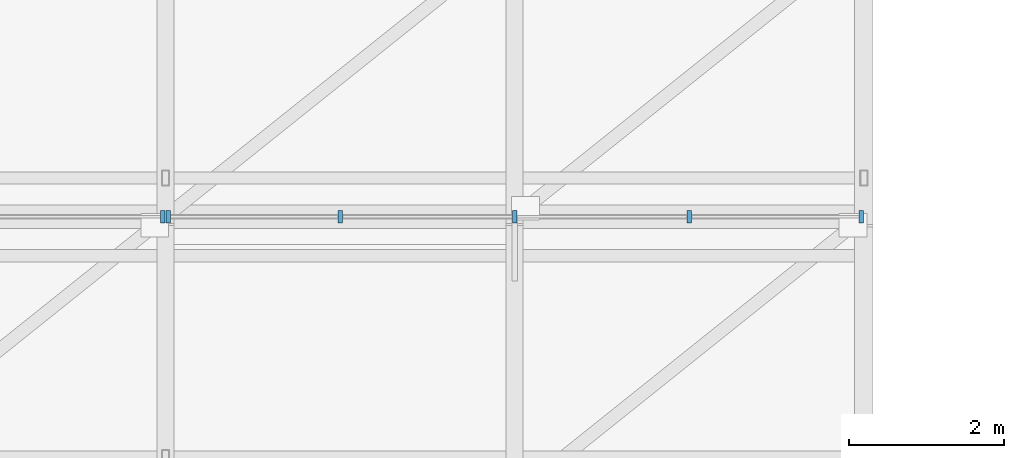
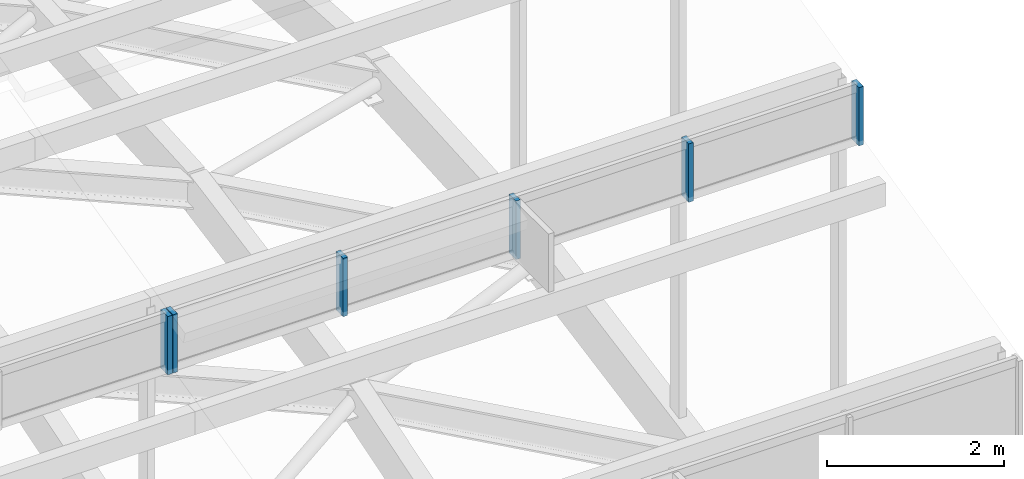
# One storey, part 39 of 69: 6 members, 2 elements without a shape of their own.
"""IFC4 building model written with IfcOpenShell, lengths in metres."""

from ifc_helpers import new_model, si_unit, direction, frame, origin, origin_2d, place, context, subcontext, project, spatial, rectangle, extrude, material, layer, layer_set, material_profile, profile_set, type_object, element, aggregate, save


model = new_model("IFC4")

# Units and contexts
model_context = context("Model", 3, precision=1e-05, world=origin(), true_north=direction((0.0, 1.0)))
body_context = subcontext(model_context, "Body", "Model", "MODEL_VIEW")
ifc_project = project(units=[si_unit("LENGTHUNIT", "METRE"), si_unit("AREAUNIT", "SQUARE_METRE"), si_unit("VOLUMEUNIT", "CUBIC_METRE"), si_unit("PLANEANGLEUNIT", "RADIAN"), si_unit("MASSUNIT", "GRAM", prefix="KILO")], contexts=[model_context])

# Site, building, storey
site_placement = place(None, origin())
site = spatial("IfcSite", under=ifc_project, at=site_placement, CompositionType="ELEMENT")
building_placement = place(site_placement, origin())
building = spatial("IfcBuilding", under=site, at=building_placement, Name="Montealbar Specialist Clinic", CompositionType="ELEMENT")
storey_placement = place(building_placement, frame((0.0, 0.0, 9.60009765625)))
storey = spatial("IfcBuildingStorey", under=building, at=storey_placement, Name="L02", CompositionType="ELEMENT", Elevation=9.60009765625)

# Curtain wall, member
ifc_material_1 = material(Name="Low-E double glazing", Category="glass")
ifc_layer = layer(ifc_material_1, 0.199951171875, Name="Low-E double glazing", Category="glass")
ifc_layer_set = layer_set([ifc_layer], Name="Low-E double glazing")
curtain_wall_type = type_object("IfcCurtainWallType", Name="CW-TYPE-48", PredefinedType="NOTDEFINED", material=ifc_layer_set)
curtain_wall_1_placement = place(storey_placement, origin())
curtain_wall_1 = element("IfcCurtainWall", 1, at=curtain_wall_1_placement, inside=storey, type_object=curtain_wall_type, Name="Unitised Curtain Wall CW-L02-810-522-900-522-196", PredefinedType="NOTDEFINED")
ifc_material_2 = material(Name="Anodised aluminium EN AW-6063", Category="aluminium")
ifc_material_profile = material_profile(ifc_material_2, rectangle(XDim=0.06005859375, YDim=0.159912109375, at=origin_2d()), Name="ALU 60x160", Category="aluminium")
ifc_profile_set = profile_set([ifc_material_profile], Name="Anodised aluminium EN AW-6063")
member_type = type_object("IfcMemberType", Name="CW-MUL-160", PredefinedType="MULLION", material=ifc_profile_set)
member_1_placement = place(storey_placement, frame((89.965087890625, 52.199951171875, 9.974853515625), z_axis=(0.0, 0.0, 1.0), x_axis=(1.0, 0.0, 0.0)))
member_1 = element("IfcMember", 2, at=member_1_placement, type_object=member_type, Name="Curtain Wall Mullion CW-L02-810-522-900-522-196-04", PredefinedType="MULLION", context=body_context, shape_type="SweptSolid", body=[
    extrude(rectangle(XDim=0.06005859375, YDim=0.159912109375, at=origin_2d()), origin(), (0.0, 0.0, 1.0), 0.803955078125),
])
aggregate(curtain_wall_1, [member_1])

# Curtain wall, members
curtain_wall_2_placement = place(storey_placement, origin())
curtain_wall_2 = element("IfcCurtainWall", 3, at=curtain_wall_2_placement, inside=storey, type_object=curtain_wall_type, Name="Unitised Curtain Wall CW-L02-900-522-990-522-196", PredefinedType="NOTDEFINED")
member_2_placement = place(storey_placement, frame((90.034912109375, 52.199951171875, 9.974853515625), z_axis=(0.0, 0.0, 1.0), x_axis=(1.0, 0.0, 0.0)))
member_2 = element("IfcMember", 4, at=member_2_placement, type_object=member_type, Name="Curtain Wall Mullion CW-L02-900-522-990-522-196-00", PredefinedType="MULLION", context=body_context, shape_type="SweptSolid", body=[
    extrude(rectangle(XDim=0.06005859375, YDim=0.159912109375, at=origin_2d()), origin(), (0.0, 0.0, 1.0), 0.803955078125),
])
member_3_placement = place(storey_placement, frame((92.25, 52.199951171875, 9.974853515625), z_axis=(0.0, 0.0, 1.0), x_axis=(1.0, 0.0, 0.0)))
member_3 = element("IfcMember", 5, at=member_3_placement, type_object=member_type, Name="Curtain Wall Mullion CW-L02-900-522-990-522-196-01", PredefinedType="MULLION", context=body_context, shape_type="SweptSolid", body=[
    extrude(rectangle(XDim=0.06005859375, YDim=0.159912109375, at=origin_2d()), origin(), (0.0, 0.0, 1.0), 0.803955078125),
])
member_4_placement = place(storey_placement, frame((94.5, 52.199951171875, 9.974853515625), z_axis=(0.0, 0.0, 1.0), x_axis=(1.0, 0.0, 0.0)))
member_4 = element("IfcMember", 6, at=member_4_placement, type_object=member_type, Name="Curtain Wall Mullion CW-L02-900-522-990-522-196-02", PredefinedType="MULLION", context=body_context, shape_type="SweptSolid", body=[
    extrude(rectangle(XDim=0.06005859375, YDim=0.159912109375, at=origin_2d()), origin(), (0.0, 0.0, 1.0), 0.803955078125),
])
member_5_placement = place(storey_placement, frame((96.75, 52.199951171875, 9.974853515625), z_axis=(0.0, 0.0, 1.0), x_axis=(1.0, 0.0, 0.0)))
member_5 = element("IfcMember", 7, at=member_5_placement, type_object=member_type, Name="Curtain Wall Mullion CW-L02-900-522-990-522-196-03", PredefinedType="MULLION", context=body_context, shape_type="SweptSolid", body=[
    extrude(rectangle(XDim=0.06005859375, YDim=0.159912109375, at=origin_2d()), origin(), (0.0, 0.0, 1.0), 0.803955078125),
])
member_6_placement = place(storey_placement, frame((98.965087890625, 52.199951171875, 9.974853515625), z_axis=(0.0, 0.0, 1.0), x_axis=(1.0, 0.0, 0.0)))
member_6 = element("IfcMember", 8, at=member_6_placement, type_object=member_type, Name="Curtain Wall Mullion CW-L02-900-522-990-522-196-04", PredefinedType="MULLION", context=body_context, shape_type="SweptSolid", body=[
    extrude(rectangle(XDim=0.06005859375, YDim=0.159912109375, at=origin_2d()), origin(), (0.0, 0.0, 1.0), 0.803955078125),
])
aggregate(curtain_wall_2, [member_2, member_3, member_4, member_5, member_6])

save(model, "model.ifc")
